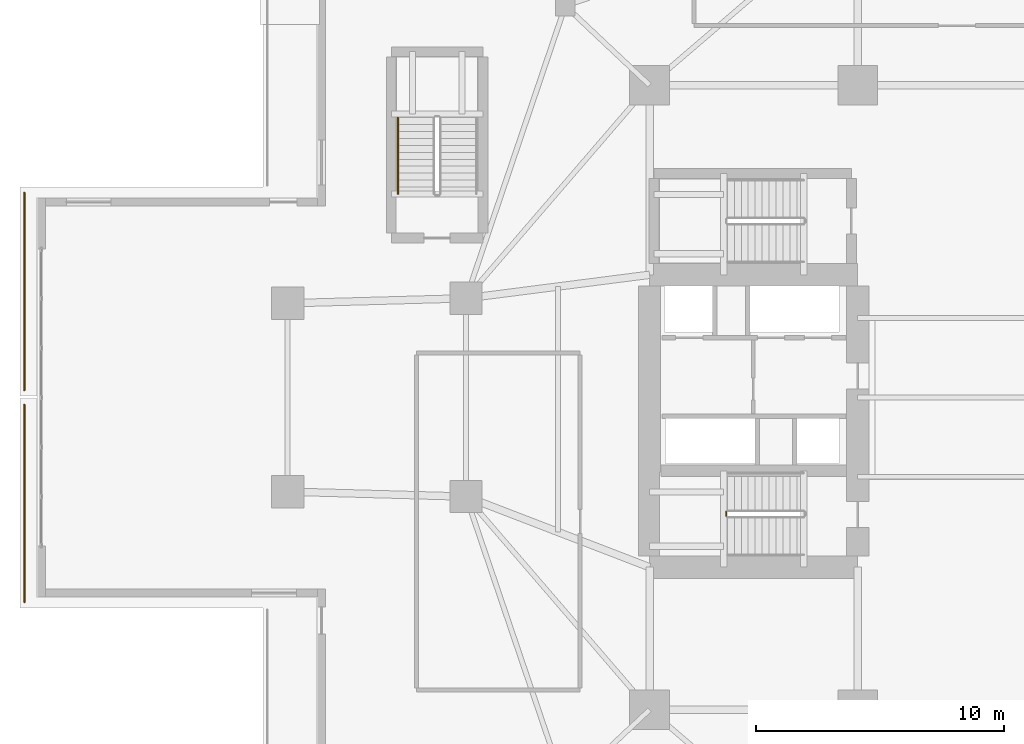
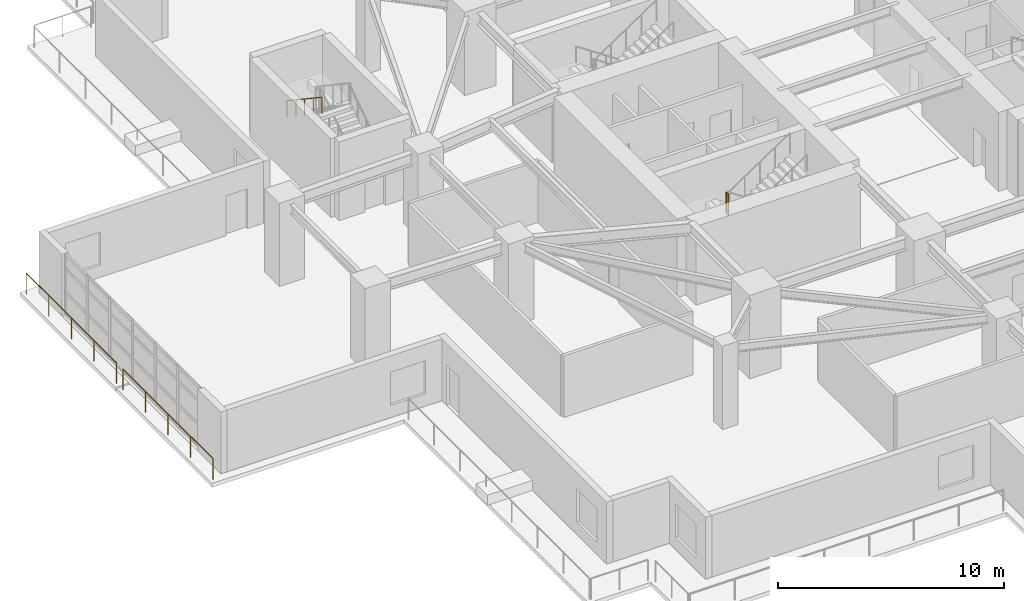
# One storey, part 21 of 24: 4 railings.
"""IFC4 building model written with IfcOpenShell, lengths in metres."""

import ifcopenshell
import ifcopenshell.guid

model = None  # the IFC model being written
_history = None  # IfcOwnerHistory: only IFC2X3 demands one
_inside = {}  # id of a spatial element -> (the spatial element, [elements in it])
_under = {}  # id of a project, library or spatial element -> (it, [spatial elements below it])
_declared = {}  # id of a project -> (the project, [libraries it declares])
_typed = {}  # id of a type object -> (the type object, [elements of that type])
_made_of = {}  # id of a material, layer set ... -> (it, [elements and type objects made of it])


def new_model(schema):
    """Start an empty IFC model of exactly this schema.

    Asked for "IFC4X3", IfcOpenShell would pick the latest addendum, in which some entities
    have other attributes; the version numbers below select the first issue.
    IFC2X3 requires an IfcOwnerHistory on every rooted entity: one is made here for all.
    """
    global model, _history
    if schema == "IFC4X3":
        model = ifcopenshell.file(schema_version=(4, 3, 0, 0))
    else:
        model = ifcopenshell.file(schema=schema)
    _inside.clear()
    _under.clear()
    _declared.clear()
    _typed.clear()
    _made_of.clear()
    _history = None
    if model.schema == "IFC2X3":
        org = make("IfcOrganization", Name="unknown")
        user = make(
            "IfcPersonAndOrganization",
            ThePerson=make("IfcPerson", FamilyName="unknown"),
            TheOrganization=org,
        )
        app = make(
            "IfcApplication",
            ApplicationDeveloper=org,
            Version="unknown",
            ApplicationFullName="unknown",
            ApplicationIdentifier="unknown",
        )
        _history = make(
            "IfcOwnerHistory",
            OwningUser=user,
            OwningApplication=app,
            ChangeAction="ADDED",
            CreationDate=0,
        )
    return model


def make(cls, **values):
    """One entity of the class cls with the attributes given. An attribute that is None is left unset."""
    return model.create_entity(
        cls, **{name: value for name, value in values.items() if value is not None}
    )


def rooted(cls, **values):
    """An entity with a GlobalId (a new one), such as an element, a storey or a relation."""
    return make(cls, GlobalId=ifcopenshell.guid.new(), OwnerHistory=_history, **values)


def si_unit(unit_type, name, prefix=None):
    """IfcSIUnit, for example si_unit("LENGTHUNIT", "METRE", prefix="MILLI")."""
    return make("IfcSIUnit", UnitType=unit_type, Prefix=prefix, Name=name)


def assignment(units):
    """IfcUnitAssignment: the units of a project."""
    return None if units is None else make("IfcUnitAssignment", Units=units)


def point(xyz):
    """IfcCartesianPoint."""
    return None if xyz is None else make("IfcCartesianPoint", Coordinates=xyz)


def direction(xyz):
    """IfcDirection."""
    return None if xyz is None else make("IfcDirection", DirectionRatios=xyz)


def frame(location, z_axis=None, x_axis=None):
    """IfcAxis2Placement3D, a coordinate frame: its origin and axes. An axis left out is left unset."""
    return make(
        "IfcAxis2Placement3D",
        Location=point(location),
        Axis=direction(z_axis),
        RefDirection=direction(x_axis),
    )


def frame_2d(location, x_axis=None):
    """IfcAxis2Placement2D, a coordinate frame in the plane: its origin and x axis."""
    return make(
        "IfcAxis2Placement2D", Location=point(location), RefDirection=direction(x_axis)
    )


def origin():
    """The frame at (0, 0, 0) with its axes left unset."""
    return frame((0.0, 0.0, 0.0))


def origin_2d():
    """The frame at (0, 0) in the plane with its x axis left unset."""
    return frame_2d((0.0, 0.0))


def place(relative_to, where):
    """IfcLocalPlacement: puts the frame where relative to a parent placement (None: the world)."""
    return make(
        "IfcLocalPlacement", PlacementRelTo=relative_to, RelativePlacement=where
    )


def context(
    kind, dimensions, precision=None, world=None, true_north=None, identifier=None
):
    """IfcGeometricRepresentationContext, for example the 3D "Model" context."""
    return make(
        "IfcGeometricRepresentationContext",
        ContextIdentifier=identifier,
        ContextType=kind,
        CoordinateSpaceDimension=dimensions,
        Precision=precision,
        WorldCoordinateSystem=world,
        TrueNorth=true_north,
    )


def subcontext(parent, identifier, kind, view, scale=None):
    """IfcGeometricRepresentationSubContext, for example "Body" below "Model"."""
    return make(
        "IfcGeometricRepresentationSubContext",
        ContextIdentifier=identifier,
        ContextType=kind,
        ParentContext=parent,
        TargetScale=scale,
        TargetView=view,
    )


def project(units=None, contexts=None):
    """IfcProject with its units and contexts."""
    return rooted(
        "IfcProject",
        Name="project",
        RepresentationContexts=contexts,
        UnitsInContext=assignment(units),
    )


def spatial(cls, under=None, at=None, **own):
    """A site, building, storey or space (cls), placed at a placement, below another one or the project."""
    s = rooted(cls, ObjectPlacement=at, **own)
    if under is not None:
        _under.setdefault(under.id(), (under, []))[1].append(s)
    return s


def profile(cls, at=None, kind="AREA", **sizes):
    """A parametric profile (cls). Its sizes go by their IFC names, for example OverallWidth=200.0."""
    return make(cls, ProfileType=kind, Position=at, **sizes)


def circle(**sizes):
    """IfcCircleProfileDef."""
    return profile("IfcCircleProfileDef", **sizes)


def extrude(swept, where, along, depth):
    """IfcExtrudedAreaSolid: the profile swept, set in the frame where, extruded along a direction by depth."""
    return make(
        "IfcExtrudedAreaSolid",
        SweptArea=swept,
        Position=where,
        ExtrudedDirection=direction(along),
        Depth=depth,
    )


def shape(context_of_items, identifier, shape_type, items):
    """IfcShapeRepresentation: the items that make up one representation, for example the "Body"."""
    return make(
        "IfcShapeRepresentation",
        ContextOfItems=context_of_items,
        RepresentationIdentifier=identifier,
        RepresentationType=shape_type,
        Items=items,
    )


def material(Name=None, Category=None):
    """IfcMaterial."""
    return make("IfcMaterial", Name=Name, Category=Category)


def made_of(thing, what):
    """Note that an element or type object is made of a material, layer set ...; save() writes the relation."""
    if what is not None:
        _made_of.setdefault(what.id(), (what, []))[1].append(thing)
    return thing


def type_object(cls, material=None, **own):
    """A type object (cls), such as IfcWallType, which elements share."""
    return made_of(rooted(cls, **own), material)


def element(
    cls,
    number,
    at=None,
    inside=None,
    cuts=None,
    type_object=None,
    material=None,
    context=None,
    identifier="Body",
    shape_type=None,
    held_by="IfcProductDefinitionShape",
    body=None,
    shapes=None,
    **own,
):
    """One element of the class cls, such as IfcWall. Its Tag is "e" and its number.

    at: its placement. inside: the storey or other place that contains it. cuts: it is an
    opening in that element (IfcRelVoidsElement). A single representation is given by context,
    identifier, shape_type and body (its items); several are given by shapes. held_by: the class
    of the entity that holds the representations. save() writes the other relations.
    """
    e = rooted(cls, Tag="e%d" % number, ObjectPlacement=at, **own)
    if body is not None:
        shapes = [shape(context, identifier, shape_type, body)]
    if shapes is not None:
        e.Representation = make(held_by, Representations=shapes)
    if inside is not None:
        _inside.setdefault(inside.id(), (inside, []))[1].append(e)
    if cuts is not None:
        rooted(
            "IfcRelVoidsElement", RelatingBuildingElement=cuts, RelatedOpeningElement=e
        )
    if type_object is not None:
        _typed.setdefault(type_object.id(), (type_object, []))[1].append(e)
    return made_of(e, material)


def aggregate(whole, parts):
    """IfcRelAggregates: a whole, such as a stair, and the parts it consists of."""
    return rooted("IfcRelAggregates", RelatingObject=whole, RelatedObjects=parts)


def save(model, path):
    """Write the relations noted so far, then the file.

    IfcRelAggregates (storeys below a building ...), IfcRelContainedInSpatialStructure (elements
    in a storey), IfcRelDefinesByType, IfcRelAssociatesMaterial and IfcRelDeclares: one each for
    every whole, place, type object, material and project.
    """
    for whole, parts in _under.values():
        aggregate(whole, parts)
    for where, things in _inside.values():
        rooted(
            "IfcRelContainedInSpatialStructure",
            RelatedElements=things,
            RelatingStructure=where,
        )
    for kind, things in _typed.values():
        rooted("IfcRelDefinesByType", RelatedObjects=things, RelatingType=kind)
    for what, things in _made_of.values():
        rooted("IfcRelAssociatesMaterial", RelatedObjects=things, RelatingMaterial=what)
    for by, libraries in _declared.values():
        rooted("IfcRelDeclares", RelatingContext=by, RelatedDefinitions=libraries)
    model.write(path)


model = new_model("IFC4")

# Units and contexts
model_context = context("Model", 3, precision=1e-05, world=origin(), true_north=direction((0.0, 1.0)))
body_context = subcontext(model_context, "Body", "Model", "MODEL_VIEW")
ifc_project = project(units=[si_unit("LENGTHUNIT", "METRE"), si_unit("AREAUNIT", "SQUARE_METRE"), si_unit("VOLUMEUNIT", "CUBIC_METRE"), si_unit("PLANEANGLEUNIT", "RADIAN"), si_unit("MASSUNIT", "GRAM", prefix="KILO")], contexts=[model_context])

# Site, building, storey
site_placement = place(None, origin())
site = spatial("IfcSite", under=ifc_project, at=site_placement, CompositionType="ELEMENT")
building_placement = place(site_placement, origin())
building = spatial("IfcBuilding", under=site, at=building_placement, Name="Qingluan Cross Belvedere", CompositionType="ELEMENT")
storey_placement = place(building_placement, frame((0.0, 0.0, 14.699951171875)))
storey = spatial("IfcBuildingStorey", under=building, at=storey_placement, Name="L04", CompositionType="ELEMENT", Elevation=14.699951171875)

# Railings
ifc_material_1 = material(Name="Brushed stainless steel tubular handrail", Category="steel")
railing_type_1 = type_object("IfcRailingType", Name="StairPitchHandrail_900", PredefinedType="HANDRAIL", material=ifc_material_1)
railing_1_placement = place(storey_placement, frame((-22.550048828125, 11.2900390625, 2.4375)))
element("IfcRailing", 1, at=railing_1_placement, inside=storey, type_object=railing_type_1, Name="L04 ST5 stair handrail 2", PredefinedType="HANDRAIL", context=body_context, shape_type="SweptSolid", body=[
    extrude(circle(Radius=0.02392578125, at=origin_2d()), frame((0.0, 0.0, 0.8759765625), z_axis=(0.0, -0.830913701846, 0.55640131208), x_axis=(1.0, 0.0, 0.0)), (0.0, 0.0, 1.0), 3.706787109375),
    extrude(circle(Radius=0.02099609375, at=origin_2d()), origin(), (0.0, 0.0, 1.0), 0.851806640625),
    extrude(circle(Radius=0.02099609375, at=origin_2d()), frame((0.0, -0.77001953125, 0.515625)), (0.0, 0.0, 1.0), 0.851806640625),
    extrude(circle(Radius=0.02099609375, at=origin_2d()), frame((0.0, -1.5400390625, 1.03125)), (0.0, 0.0, 1.0), 0.851806640625),
    extrude(circle(Radius=0.02099609375, at=origin_2d()), frame((0.0, -2.31005859375, 1.546875)), (0.0, 0.0, 1.0), 0.851806640625),
    extrude(circle(Radius=0.02099609375, at=origin_2d()), frame((0.0, -3.080078125, 2.0625)), (0.0, 0.0, 1.0), 0.851806640625),
])
ifc_material_2 = material(Name="Painted steel stair well guard", Category="steel")
railing_type_2 = type_object("IfcRailingType", Name="StairWellGuard_1150", PredefinedType="BALUSTRADE", material=ifc_material_2)
railing_2_placement = place(storey_placement, frame((-9.31005859375, -4.6201171875, 2.25)))
element("IfcRailing", 2, at=railing_2_placement, inside=storey, type_object=railing_type_2, Name="L04 ST1 stair guard 2", PredefinedType="BALUSTRADE", context=body_context, shape_type="SweptSolid", body=[
    extrude(circle(Radius=0.02392578125, at=origin_2d()), frame((0.0, 0.0, 1.1259765625), z_axis=(0.0, -1.0, 0.0), x_axis=(1.0, 0.0, 0.0)), (0.0, 0.0, 1.0), 0.159912109375),
    extrude(circle(Radius=0.02099609375, at=origin_2d()), origin(), (0.0, 0.0, 1.0), 1.101806640625),
    extrude(circle(Radius=0.02099609375, at=origin_2d()), frame((0.0, -0.159912109375, 0.0)), (0.0, 0.0, 1.0), 1.101806640625),
])
ifc_material_3 = material(Name="Laminated glass and stainless steel balustrade", Category="steel")
railing_type_3 = type_object("IfcRailingType", Name="TerraceGuardBalustrade_1150", PredefinedType="BALUSTRADE", material=ifc_material_3)
for number, where, name in (
    (3, (-37.6201171875, 0.2900390625, 0.0), "Terrace guard L04-1"),
    (4, (-37.6201171875, -8.260009765625, 0.0), "Terrace guard L04-6"),
):
    element("IfcRailing", number, at=place(storey_placement, frame(where)), inside=storey, type_object=railing_type_3, Name=name, PredefinedType="BALUSTRADE", context=body_context, shape_type="SweptSolid", body=[
        extrude(circle(Radius=0.02392578125, at=origin_2d()), frame((0.0, 0.0, 1.1259765625), z_axis=(0.0, 1.0, 0.0), x_axis=(-1.0, 0.0, 0.0)), (0.0, 0.0, 1.0), 7.969970703125),
        extrude(circle(Radius=0.02099609375, at=origin_2d()), origin(), (0.0, 0.0, 1.0), 1.101806640625),
        extrude(circle(Radius=0.02099609375, at=origin_2d()), frame((0.0, 1.992431640625, 0.0)), (0.0, 0.0, 1.0), 1.101806640625),
        extrude(circle(Radius=0.02099609375, at=origin_2d()), frame((0.0, 3.98486328125, 0.0)), (0.0, 0.0, 1.0), 1.101806640625),
        extrude(circle(Radius=0.02099609375, at=origin_2d()), frame((0.0, 5.9775390625, 0.0)), (0.0, 0.0, 1.0), 1.101806640625),
        extrude(circle(Radius=0.02099609375, at=origin_2d()), frame((0.0, 7.969970703125, 0.0)), (0.0, 0.0, 1.0), 1.101806640625),
    ])

save(model, "model.ifc")
